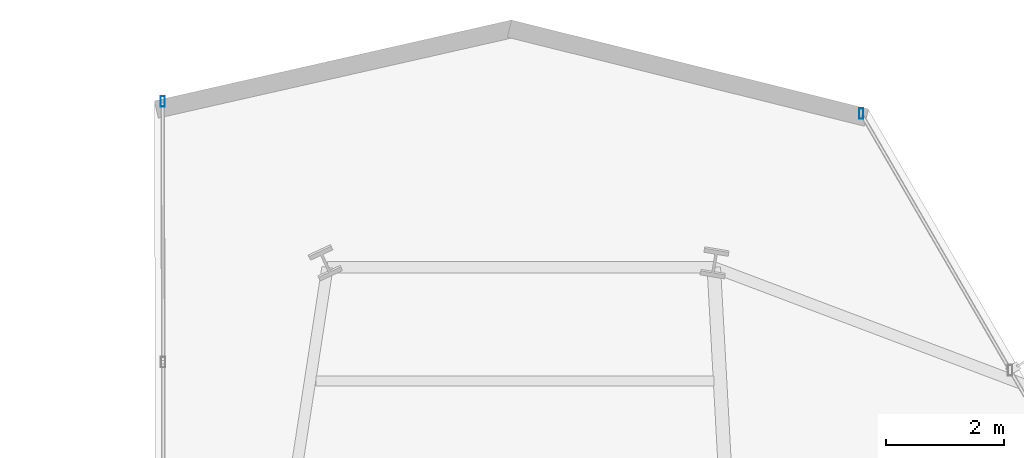
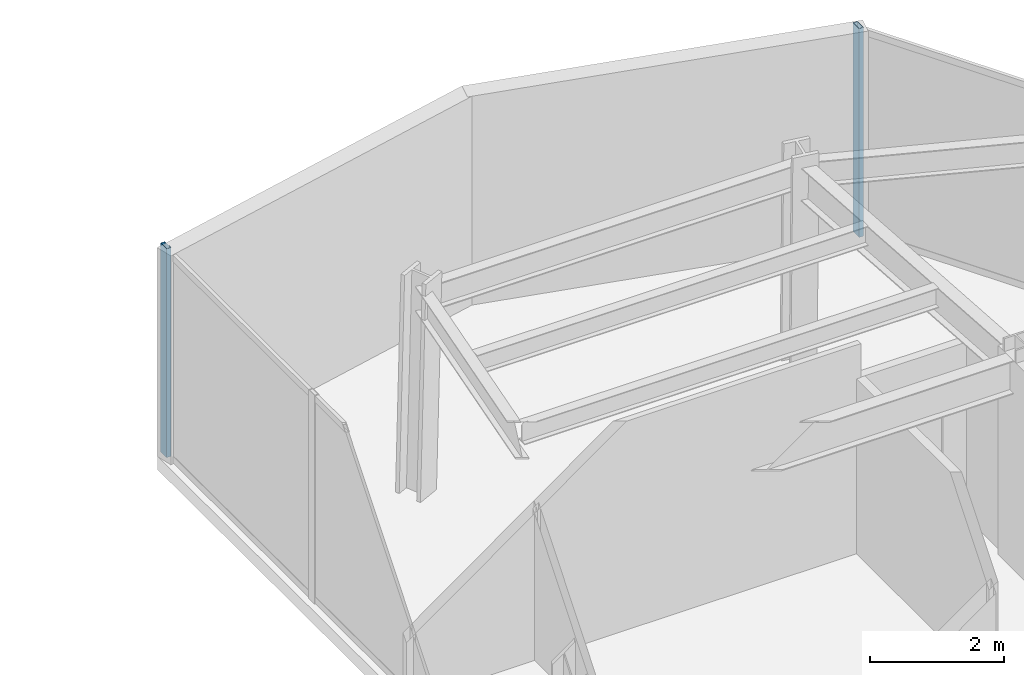
# One storey, part 18 of 25: 2 members, 2 elements without a shape of their own.
"""IFC4 building model written with IfcOpenShell, lengths in metres."""

from ifc_helpers import new_model, si_unit, direction, frame, origin, origin_2d, place, context, subcontext, project, spatial, hollow_rectangle, extrude, material, layer, layer_set, material_profile, profile_set, type_object, element, aggregate, save


model = new_model("IFC4")

# Units and contexts
model_context = context("Model", 3, precision=1e-05, world=origin(), true_north=direction((0.0, 1.0)))
body_context = subcontext(model_context, "Body", "Model", "MODEL_VIEW")
ifc_project = project(units=[si_unit("LENGTHUNIT", "METRE"), si_unit("AREAUNIT", "SQUARE_METRE"), si_unit("VOLUMEUNIT", "CUBIC_METRE"), si_unit("PLANEANGLEUNIT", "RADIAN"), si_unit("MASSUNIT", "GRAM", prefix="KILO")], contexts=[model_context])

# Site, building, storey
site_placement = place(None, origin())
site = spatial("IfcSite", under=ifc_project, at=site_placement, CompositionType="ELEMENT")
building_placement = place(site_placement, origin())
building = spatial("IfcBuilding", under=site, at=building_placement, Name="Veymaron Broadcast Tower", CompositionType="ELEMENT")
storey_placement = place(building_placement, frame((0.0, 0.0, 173.550048828125)))
storey = spatial("IfcBuildingStorey", under=building, at=storey_placement, Name="L40", CompositionType="ELEMENT", Elevation=173.550048828125)

# Curtain wall, member
ifc_material_1 = material(Name="Anodised aluminium AA 6063-T6 and laminated low-E dark glass", Category="aluminium")
ifc_layer = layer(ifc_material_1, 0.179931640625)
ifc_layer_set = layer_set([ifc_layer], Name="Anodised aluminium AA 6063-T6 and laminated low-E dark glass")
curtain_wall_type = type_object("IfcCurtainWallType", Name="CW-SYS-03", PredefinedType="NOTDEFINED", material=ifc_layer_set)
curtain_wall_1_placement = place(storey_placement, origin())
curtain_wall_1 = element("IfcCurtainWall", 1, at=curtain_wall_1_placement, inside=storey, type_object=curtain_wall_type, Name="L40 dark-glass curtain wall CW-L40-E5-1", PredefinedType="NOTDEFINED")
ifc_material_2 = material(Name="Anodised aluminium AA 6063-T6", Category="aluminium")
ifc_material_profile = material_profile(ifc_material_2, hollow_rectangle(XDim=0.074951171875, YDim=0.179931640625, WallThickness=0.0048828125, at=origin_2d()), Name="AL180X75X5")
ifc_profile_set = profile_set([ifc_material_profile], Name="Anodised aluminium AA 6063-T6")
member_type = type_object("IfcMemberType", Name="CW-MUL-02", PredefinedType="MULLION", material=ifc_profile_set)
member_1_placement = place(storey_placement, frame((41.1669921875, 40.623779296875, 0.0), z_axis=(0.0, 0.0, 1.0), x_axis=(1.0, 0.0, 0.0)))
member_1 = element("IfcMember", 2, at=member_1_placement, type_object=member_type, Name="CW-L40-E5-1 mullion 2", PredefinedType="MULLION", context=body_context, shape_type="SweptSolid", body=[
    extrude(hollow_rectangle(XDim=0.074951171875, YDim=0.179931640625, WallThickness=0.0048828125, at=origin_2d()), origin(), (0.0, 0.0, 1.0), 3.81005859375),
])
aggregate(curtain_wall_1, [member_1])

curtain_wall_2_placement = place(storey_placement, origin())
curtain_wall_2 = element("IfcCurtainWall", 3, at=curtain_wall_2_placement, inside=storey, type_object=curtain_wall_type, Name="L40 dark-glass curtain wall CW-L40-E8-1", PredefinedType="NOTDEFINED")
member_2_placement = place(storey_placement, frame((29.333984375, 40.831298828125, 0.0), z_axis=(0.0, 0.0, 1.0), x_axis=(1.0, 0.0, 0.0)))
member_2 = element("IfcMember", 4, at=member_2_placement, type_object=member_type, Name="CW-L40-E8-1 mullion 0", PredefinedType="MULLION", context=body_context, shape_type="SweptSolid", body=[
    extrude(hollow_rectangle(XDim=0.074951171875, YDim=0.179931640625, WallThickness=0.0048828125, at=origin_2d()), origin(), (0.0, 0.0, 1.0), 3.81005859375),
])
aggregate(curtain_wall_2, [member_2])

save(model, "model.ifc")
